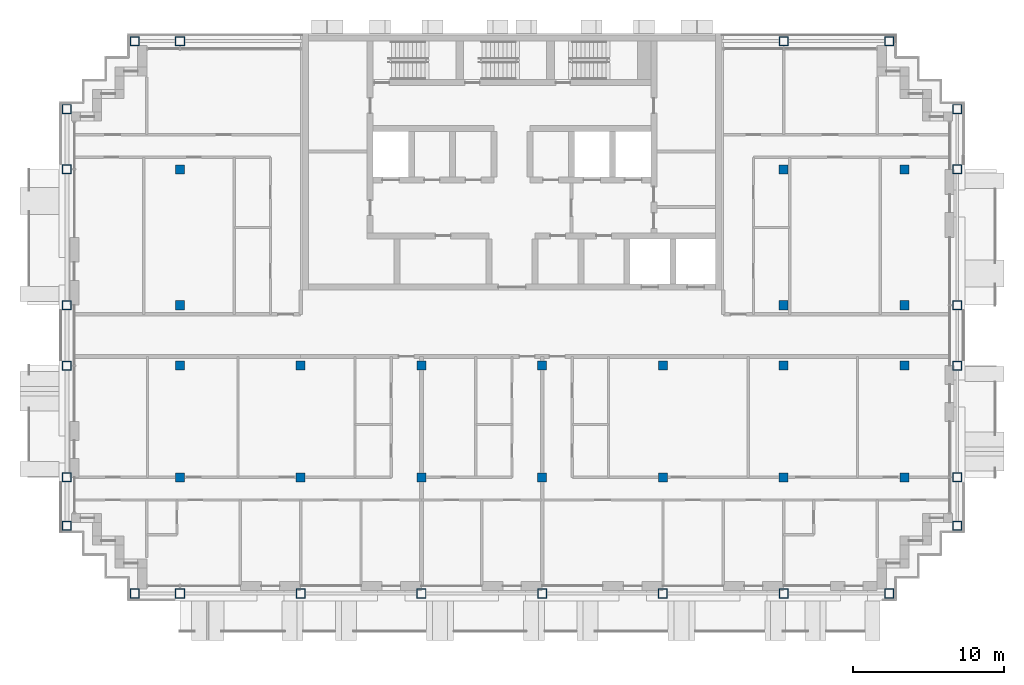
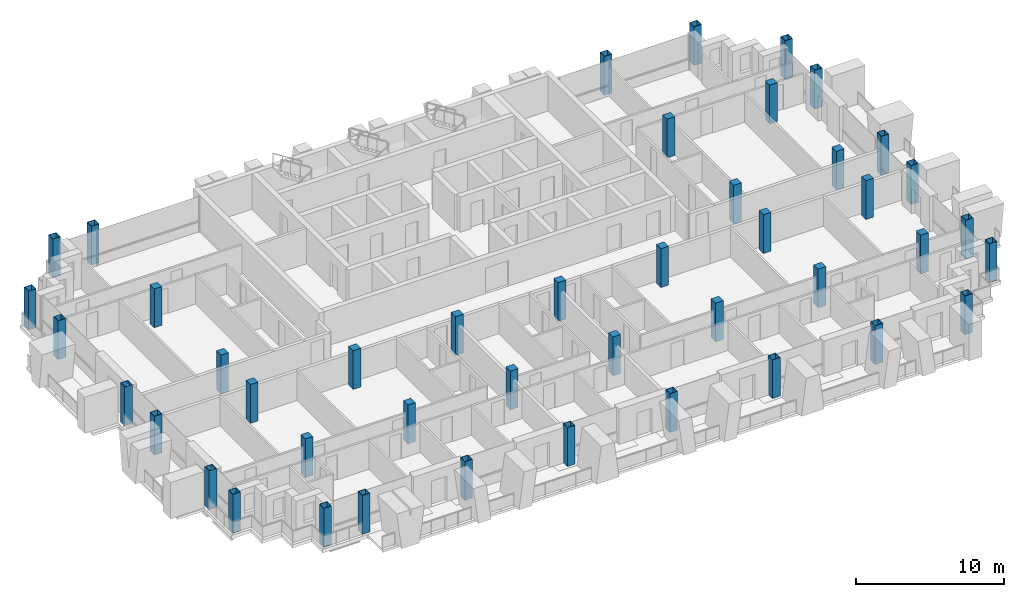
# One storey, part 1 of 16: 44 columns.
"""IFC4 building model written with IfcOpenShell, lengths in metres."""

from ifc_helpers import new_model, si_unit, direction, frame, origin, origin_2d, place, context, subcontext, project, spatial, rectangle, hollow_rectangle, extrude, material, material_profile, profile_set, type_object, element, save


model = new_model("IFC4")

# Units and contexts
model_context = context("Model", 3, precision=1e-05, world=origin(), true_north=direction((0.0, 1.0)))
body_context = subcontext(model_context, "Body", "Model", "MODEL_VIEW")
ifc_project = project(units=[si_unit("LENGTHUNIT", "METRE"), si_unit("AREAUNIT", "SQUARE_METRE"), si_unit("VOLUMEUNIT", "CUBIC_METRE"), si_unit("PLANEANGLEUNIT", "RADIAN"), si_unit("MASSUNIT", "GRAM", prefix="KILO")], contexts=[model_context])

# Site, building, storey
site_placement = place(None, origin())
site = spatial("IfcSite", under=ifc_project, at=site_placement, CompositionType="ELEMENT")
building_placement = place(site_placement, origin())
building = spatial("IfcBuilding", under=site, at=building_placement, Name="Vidyagriha Tower", CompositionType="ELEMENT")
storey_placement = place(building_placement, frame((0.0, 0.0, 220.39990234375)))
storey = spatial("IfcBuildingStorey", under=building, at=storey_placement, Name="L57", CompositionType="ELEMENT", Elevation=220.39990234375)

# Columns
ifc_material_1 = material(Name="Steel ASTM A572 Grade 50", Category="steel")
ifc_material_profile_1 = material_profile(ifc_material_1, hollow_rectangle(XDim=0.60009765625, YDim=0.60009765625, WallThickness=0.030029296875, at=origin_2d()), Name="BOX 600x600x30")
ifc_profile_set_1 = profile_set([ifc_material_profile_1], Name="Steel ASTM A572 Grade 50")
column_type_1 = type_object("IfcColumnType", Name="Exoskeleton column BOX 600x600x30", PredefinedType="COLUMN", material=ifc_profile_set_1)
for number, where, name in (
    (1, (-25.0, -17.10009765625, 0.0), "st-col-L57-B5-001"),
    (2, (-22.0, -17.10009765625, 0.0), "st-col-L57-B5-002"),
    (3, (-14.0, -17.10009765625, 0.0), "st-col-L57-B5-003"),
    (4, (-6.0, -17.10009765625, 0.0), "st-col-L57-B5-004"),
    (5, (2.0, -17.10009765625, 0.0), "st-col-L57-B5-005"),
    (6, (10.0, -17.10009765625, 0.0), "st-col-L57-B5-006"),
    (7, (18.0, -17.10009765625, 0.0), "st-col-L57-B5-007"),
    (8, (25.0, -17.10009765625, 0.0), "st-col-L57-B5-008"),
    (9, (-29.5, -12.60009765625, 0.0), "st-col-L57-B5-009"),
    (10, (29.5, -12.60009765625, 0.0), "st-col-L57-B5-010"),
    (11, (-29.5, -9.39990234375, 0.0), "st-col-L57-B5-011"),
    (12, (29.5, -9.39990234375, 0.0), "st-col-L57-B5-019"),
    (13, (-29.5, -2.0, 0.0), "st-col-L57-B5-020"),
    (14, (29.5, -2.0, 0.0), "st-col-L57-B5-028"),
    (15, (-29.5, 2.0, 0.0), "st-col-L57-B5-029"),
    (16, (29.5, 2.0, 0.0), "st-col-L57-B5-033"),
    (17, (-29.5, 11.0, 0.0), "st-col-L57-B5-034"),
    (18, (29.5, 11.0, 0.0), "st-col-L57-B5-038"),
    (19, (-29.5, 15.0, 0.0), "st-col-L57-B5-039"),
    (20, (29.5, 15.0, 0.0), "st-col-L57-B5-040"),
    (21, (-25.0, 19.5, 0.0), "st-col-L57-B5-041"),
    (22, (-22.0, 19.5, 0.0), "st-col-L57-B5-042"),
    (23, (18.0, 19.5, 0.0), "st-col-L57-B5-043"),
    (24, (25.0, 19.5, 0.0), "st-col-L57-B5-044"),
):
    element("IfcColumn", number, at=place(storey_placement, frame(where)), inside=storey, type_object=column_type_1, Name=name, PredefinedType="COLUMN", context=body_context, shape_type="SweptSolid", body=[
        extrude(hollow_rectangle(XDim=0.60009765625, YDim=0.60009765625, WallThickness=0.030029296875, at=origin_2d()), origin(), (0.0, 0.0, 1.0), 3.2001953125),
    ])
ifc_material_2 = material(Name="Concrete C60/75", Category="concrete")
ifc_material_profile_2 = material_profile(ifc_material_2, rectangle(XDim=0.60009765625, YDim=0.60009765625, at=origin_2d()), Name="RC 600x600")
ifc_profile_set_2 = profile_set([ifc_material_profile_2], Name="Concrete C60/75")
column_type_2 = type_object("IfcColumnType", Name="Frame column RC 600x600", PredefinedType="COLUMN", material=ifc_profile_set_2)
for number, where, name in (
    (25, (-22.0, -9.39990234375, 0.0), "st-col-L57-B5-012"),
    (26, (-14.0, -9.39990234375, 0.0), "st-col-L57-B5-013"),
    (27, (-6.0, -9.39990234375, 0.0), "st-col-L57-B5-014"),
    (28, (2.0, -9.39990234375, 0.0), "st-col-L57-B5-015"),
    (29, (10.0, -9.39990234375, 0.0), "st-col-L57-B5-016"),
    (30, (18.0, -9.39990234375, 0.0), "st-col-L57-B5-017"),
    (31, (26.0, -9.39990234375, 0.0), "st-col-L57-B5-018"),
    (32, (-22.0, -2.0, 0.0), "st-col-L57-B5-021"),
    (33, (-14.0, -2.0, 0.0), "st-col-L57-B5-022"),
    (34, (-6.0, -2.0, 0.0), "st-col-L57-B5-023"),
    (35, (2.0, -2.0, 0.0), "st-col-L57-B5-024"),
    (36, (10.0, -2.0, 0.0), "st-col-L57-B5-025"),
    (37, (18.0, -2.0, 0.0), "st-col-L57-B5-026"),
    (38, (26.0, -2.0, 0.0), "st-col-L57-B5-027"),
    (39, (-22.0, 2.0, 0.0), "st-col-L57-B5-030"),
    (40, (18.0, 2.0, 0.0), "st-col-L57-B5-031"),
    (41, (26.0, 2.0, 0.0), "st-col-L57-B5-032"),
    (42, (-22.0, 11.0, 0.0), "st-col-L57-B5-035"),
    (43, (18.0, 11.0, 0.0), "st-col-L57-B5-036"),
    (44, (26.0, 11.0, 0.0), "st-col-L57-B5-037"),
):
    element("IfcColumn", number, at=place(storey_placement, frame(where)), inside=storey, type_object=column_type_2, Name=name, PredefinedType="COLUMN", context=body_context, shape_type="SweptSolid", body=[
        extrude(rectangle(XDim=0.60009765625, YDim=0.60009765625, at=origin_2d()), origin(), (0.0, 0.0, 1.0), 3.2001953125),
    ])

save(model, "model.ifc")
